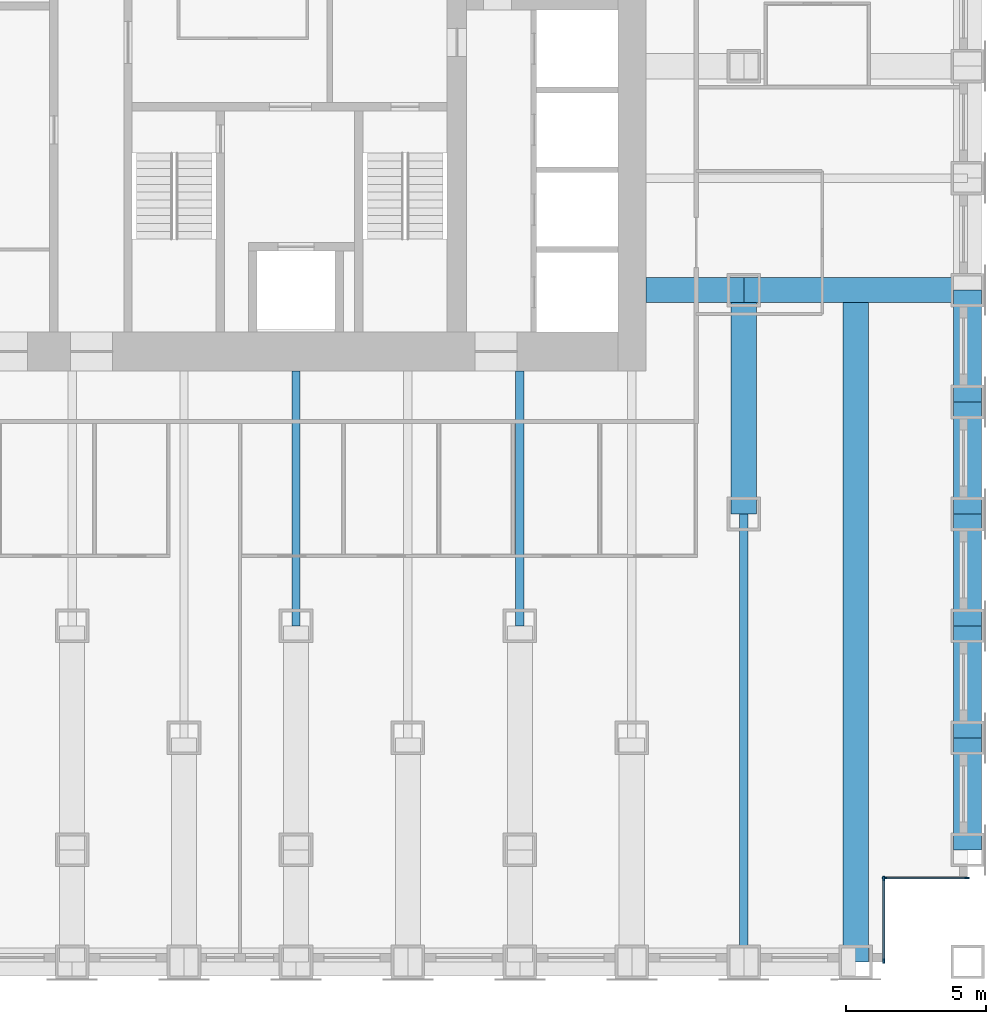
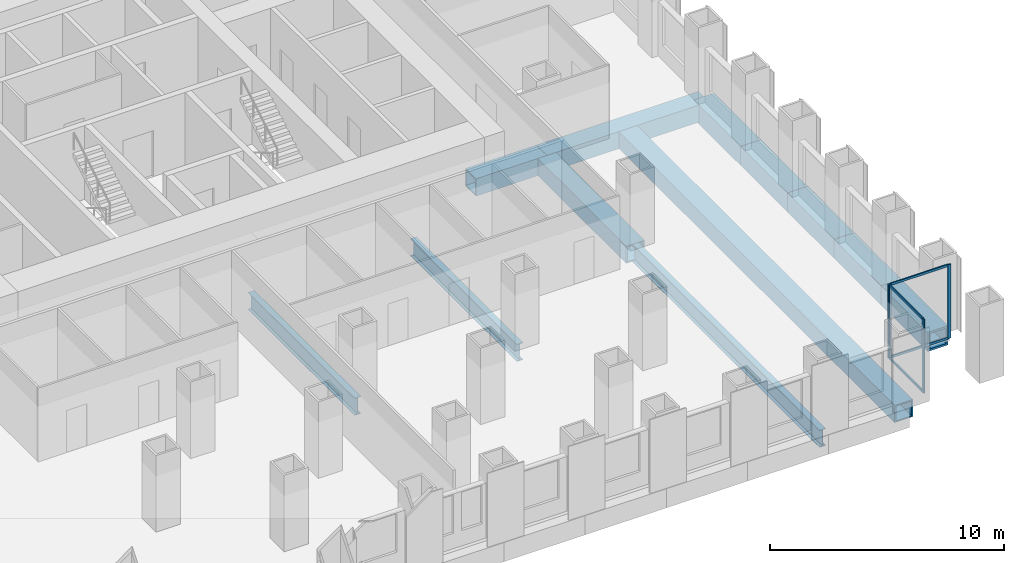
# One storey, part 4 of 15: 12 beams, 8 members, 2 elements without a shape of their own.
"""IFC4 building model written with IfcOpenShell, lengths in metres."""

from ifc_helpers import new_model, si_unit, direction, frame, origin, origin_2d, place, context, subcontext, project, spatial, rectangle, hollow_rectangle, i_section, extrude, material, material_profile, profile_set, type_object, element, aggregate, save


model = new_model("IFC4")

# Units and contexts
model_context = context("Model", 3, precision=1e-05, world=origin(), true_north=direction((0.0, 1.0)))
body_context = subcontext(model_context, "Body", "Model", "MODEL_VIEW")
ifc_project = project(units=[si_unit("LENGTHUNIT", "METRE"), si_unit("AREAUNIT", "SQUARE_METRE"), si_unit("VOLUMEUNIT", "CUBIC_METRE"), si_unit("PLANEANGLEUNIT", "RADIAN"), si_unit("MASSUNIT", "GRAM", prefix="KILO")], contexts=[model_context])

# Site, building, storey
site_placement = place(None, origin())
site = spatial("IfcSite", under=ifc_project, at=site_placement, CompositionType="ELEMENT")
building_placement = place(site_placement, origin())
building = spatial("IfcBuilding", under=site, at=building_placement, Name="Rimbunsela Tower", CompositionType="ELEMENT")
storey_placement = place(building_placement, frame((0.0, 0.0, 23.0)))
storey = spatial("IfcBuildingStorey", under=building, at=storey_placement, Name="L05", CompositionType="ELEMENT", Elevation=23.0)

# Beams
ifc_material_1 = material(Name="Steel BJ 55 (fy 410 MPa)", Category="steel")
ifc_material_profile_1 = material_profile(ifc_material_1, hollow_rectangle(XDim=1.0, YDim=1.0, WallThickness=0.10009765625, at=origin_2d()), Name="BOX 1000x1000x100")
ifc_profile_set_1 = profile_set([ifc_material_profile_1], Name="Steel BJ 55 (fy 410 MPa)")
beam_type_1 = type_object("IfcBeamType", Name="Beam BOX 1000x1000x100", PredefinedType="BEAM", material=ifc_profile_set_1)
for number, where, z_axis, x_axis, name in (
    (1, (54.0, 0.0, -0.64990234375), (0.0, 1.0, 0.0), (-1.0, 0.0, 0.0), "Beam B3 L05"),
    (2, (54.0, 4.0, -0.64990234375), (0.0, 1.0, 0.0), (-1.0, 0.0, 0.0), "Beam B3 L05"),
    (3, (54.0, 8.0, -0.64990234375), (0.0, 1.0, 0.0), (-1.0, 0.0, 0.0), "Beam B3 L05"),
    (4, (54.0, 12.0, -0.64990234375), (0.0, 1.0, 0.0), (-1.0, 0.0, 0.0), "Beam B3 L05"),
    (5, (54.0, 16.0, -0.64990234375), (0.0, 1.0, 0.0), (-1.0, 0.0, 0.0), "Beam B3 L05"),
):
    element("IfcBeam", number, at=place(storey_placement, frame(where, z_axis=z_axis, x_axis=x_axis)), inside=storey, type_object=beam_type_1, Name=name, PredefinedType="BEAM", context=body_context, shape_type="SweptSolid", body=[
        extrude(hollow_rectangle(XDim=1.0, YDim=1.0, WallThickness=0.10009765625, at=origin_2d()), origin(), (0.0, 0.0, 1.0), 4.0),
    ])
ifc_material_2 = material(Name="Steel BJ 55 (fy 410 MPa)", Category="steel")
ifc_material_profile_2 = material_profile(ifc_material_2, hollow_rectangle(XDim=0.89990234375, YDim=0.89990234375, WallThickness=0.06005859375, at=origin_2d()), Name="BOX 900x900x60")
ifc_profile_set_2 = profile_set([ifc_material_profile_2], Name="Steel BJ 55 (fy 410 MPa)")
beam_type_2 = type_object("IfcBeamType", Name="Beam BOX 900x900x60", PredefinedType="BEAM", material=ifc_profile_set_2)
beam_1_placement = place(storey_placement, frame((42.5, 20.0, -0.60009765625), z_axis=(1.0, 0.0, 0.0), x_axis=(0.0, 1.0, 0.0)))
element("IfcBeam", 6, at=beam_1_placement, inside=storey, type_object=beam_type_2, Name="Beam B1 L05", PredefinedType="BEAM", context=body_context, shape_type="SweptSolid", body=[
    extrude(hollow_rectangle(XDim=0.89990234375, YDim=0.89990234375, WallThickness=0.06005859375, at=origin_2d()), origin(), (0.0, 0.0, 1.0), 3.5),
])
for number, where, z_axis, x_axis, name in (
    (7, (46.0, 12.0, -0.60009765625), (0.0, 1.0, 0.0), (-1.0, 0.0, 0.0), "Beam B1 L05"),
    (8, (46.0, 20.0, -0.60009765625), (1.0, 0.0, 0.0), (0.0, 1.0, 0.0), "Beam B1 L05"),
):
    element("IfcBeam", number, at=place(storey_placement, frame(where, z_axis=z_axis, x_axis=x_axis)), inside=storey, type_object=beam_type_2, Name=name, PredefinedType="BEAM", context=body_context, shape_type="SweptSolid", body=[
        extrude(hollow_rectangle(XDim=0.89990234375, YDim=0.89990234375, WallThickness=0.06005859375, at=origin_2d()), origin(), (0.0, 0.0, 1.0), 8.0),
    ])
beam_2_placement = place(storey_placement, frame((50.0, -4.0, -0.60009765625), z_axis=(0.0, 1.0, 0.0), x_axis=(-1.0, 0.0, 0.0)))
element("IfcBeam", 9, at=beam_2_placement, inside=storey, type_object=beam_type_2, Name="Beam B1 L05", PredefinedType="BEAM", context=body_context, shape_type="SweptSolid", body=[
    extrude(hollow_rectangle(XDim=0.89990234375, YDim=0.89990234375, WallThickness=0.06005859375, at=origin_2d()), origin(), (0.0, 0.0, 1.0), 23.550048828125),
])
ifc_material_3 = material(Name="Steel BJ 55 (fy 410 MPa)", Category="steel")
ifc_material_profile_3 = material_profile(ifc_material_3, i_section(OverallWidth=0.300048828125, OverallDepth=0.89990234375, WebThickness=0.01611328125, FlangeThickness=0.028076171875, FilletRadius=0.028076171875, at=origin_2d()), Name="H 900x300x16x28")
ifc_profile_set_3 = profile_set([ifc_material_profile_3], Name="Steel BJ 55 (fy 410 MPa)")
beam_type_3 = type_object("IfcBeamType", Name="Beam H 900x300x16x28", PredefinedType="BEAM", material=ifc_profile_set_3)
for number, where, z_axis, x_axis, name in (
    (10, (30.0, 8.0, -0.60009765625), (0.0, 1.0, 0.0), (-1.0, 0.0, 0.0), "Beam B2 L05"),
    (11, (38.0, 8.0, -0.60009765625), (0.0, 1.0, 0.0), (-1.0, 0.0, 0.0), "Beam B2 L05"),
):
    element("IfcBeam", number, at=place(storey_placement, frame(where, z_axis=z_axis, x_axis=x_axis)), inside=storey, type_object=beam_type_3, Name=name, PredefinedType="BEAM", context=body_context, shape_type="SweptSolid", body=[
        extrude(i_section(OverallWidth=0.300048828125, OverallDepth=0.89990234375, WebThickness=0.01611328125, FlangeThickness=0.028076171875, FilletRadius=0.028076171875, at=origin_2d()), origin(), (0.0, 0.0, 1.0), 9.10009765625),
    ])
beam_3_placement = place(storey_placement, frame((46.0, -4.0, -0.60009765625), z_axis=(0.0, 1.0, 0.0), x_axis=(-1.0, 0.0, 0.0)))
element("IfcBeam", 12, at=beam_3_placement, inside=storey, type_object=beam_type_3, Name="Beam B2 L05", PredefinedType="BEAM", context=body_context, shape_type="SweptSolid", body=[
    extrude(i_section(OverallWidth=0.300048828125, OverallDepth=0.89990234375, WebThickness=0.01611328125, FlangeThickness=0.028076171875, FilletRadius=0.028076171875, at=origin_2d()), origin(), (0.0, 0.0, 1.0), 16.0),
])

# Curtain wall, members
ifc_material_4 = material(Name="Aluminium curtain wall", Category="aluminium")
curtain_wall_type = type_object("IfcCurtainWallType", Name="Corner glazing", PredefinedType="USERDEFINED", material=ifc_material_4)
curtain_wall_1_placement = place(storey_placement, origin())
curtain_wall_1 = element("IfcCurtainWall", 13, at=curtain_wall_1_placement, inside=storey, type_object=curtain_wall_type, Name="Corner glazing L05", ObjectType="CORNER GLAZING", PredefinedType="USERDEFINED")
ifc_material_5 = material(Name="Aluminium mullion", Category="aluminium")
ifc_material_profile_4 = material_profile(ifc_material_5, rectangle(XDim=0.06005859375, YDim=0.159912109375, at=origin_2d()), Name="Mullion 60x160")
ifc_profile_set_4 = profile_set([ifc_material_profile_4], Name="Aluminium mullion")
member_type_1 = type_object("IfcMemberType", Name="Curtain wall mullion 60x160", PredefinedType="MULLION", material=ifc_profile_set_4)
member_1_placement = place(storey_placement, frame((51.0, -3.969970703125, 0.0), z_axis=(0.0, 0.0, 1.0), x_axis=(-1.0, 0.0, 0.0)))
member_1 = element("IfcMember", 14, at=member_1_placement, type_object=member_type_1, Name="CW5 mullion 1", PredefinedType="MULLION", context=body_context, shape_type="SweptSolid", body=[
    extrude(rectangle(XDim=0.06005859375, YDim=0.159912109375, at=origin_2d()), origin(), (0.0, 0.0, 1.0), 3.85009765625),
])
member_2_placement = place(storey_placement, frame((51.0, -1.030029296875, 0.0), z_axis=(0.0, 0.0, 1.0), x_axis=(-1.0, 0.0, 0.0)))
member_2 = element("IfcMember", 15, at=member_2_placement, type_object=member_type_1, Name="CW5 mullion 2", PredefinedType="MULLION", context=body_context, shape_type="SweptSolid", body=[
    extrude(rectangle(XDim=0.06005859375, YDim=0.159912109375, at=origin_2d()), origin(), (0.0, 0.0, 1.0), 3.85009765625),
])

curtain_wall_2_placement = place(storey_placement, origin())
curtain_wall_2 = element("IfcCurtainWall", 16, at=curtain_wall_2_placement, inside=storey, type_object=curtain_wall_type, Name="Corner glazing L05", ObjectType="CORNER GLAZING", PredefinedType="USERDEFINED")
member_3_placement = place(storey_placement, frame((51.030029296875, -1.0, 0.0), z_axis=(0.0, 0.0, 1.0), x_axis=(0.0, 1.0, 0.0)))
member_3 = element("IfcMember", 17, at=member_3_placement, type_object=member_type_1, Name="CW5 mullion 1", PredefinedType="MULLION", context=body_context, shape_type="SweptSolid", body=[
    extrude(rectangle(XDim=0.06005859375, YDim=0.159912109375, at=origin_2d()), origin(), (0.0, 0.0, 1.0), 3.85009765625),
])
member_4_placement = place(storey_placement, frame((53.969970703125, -1.0, 0.0), z_axis=(0.0, 0.0, 1.0), x_axis=(0.0, 1.0, 0.0)))
member_4 = element("IfcMember", 18, at=member_4_placement, type_object=member_type_1, Name="CW5 mullion 2", PredefinedType="MULLION", context=body_context, shape_type="SweptSolid", body=[
    extrude(rectangle(XDim=0.06005859375, YDim=0.159912109375, at=origin_2d()), origin(), (0.0, 0.0, 1.0), 3.85009765625),
])

# Member
ifc_material_6 = material(Name="Aluminium transom", Category="aluminium")
ifc_material_profile_5 = material_profile(ifc_material_6, rectangle(XDim=0.06005859375, YDim=0.1201171875, at=origin_2d()), Name="Transom 60x120")
ifc_profile_set_5 = profile_set([ifc_material_profile_5], Name="Aluminium transom")
member_type_2 = type_object("IfcMemberType", Name="Curtain wall transom 60x120", PredefinedType="USERDEFINED", material=ifc_profile_set_5)
member_5_placement = place(storey_placement, frame((51.0, -3.93994140625, 0.030029296875), z_axis=(0.0, 1.0, 0.0), x_axis=(-1.0, 0.0, 0.0)))
member_5 = element("IfcMember", 19, at=member_5_placement, type_object=member_type_2, Name="CW5 transom 1.1", ObjectType="TRANSOM", PredefinedType="USERDEFINED", context=body_context, shape_type="SweptSolid", body=[
    extrude(rectangle(XDim=0.06005859375, YDim=0.1201171875, at=origin_2d()), origin(), (0.0, 0.0, 1.0), 2.8798828125),
])

member_6_placement = place(storey_placement, frame((51.0, -3.93994140625, 3.820068359375), z_axis=(0.0, 1.0, 0.0), x_axis=(-1.0, 0.0, 0.0)))
member_6 = element("IfcMember", 20, at=member_6_placement, type_object=member_type_2, Name="CW5 transom 1.2", ObjectType="TRANSOM", PredefinedType="USERDEFINED", context=body_context, shape_type="SweptSolid", body=[
    extrude(rectangle(XDim=0.06005859375, YDim=0.1201171875, at=origin_2d()), origin(), (0.0, 0.0, 1.0), 2.8798828125),
])

aggregate(curtain_wall_1, [member_1, member_2, member_5, member_6])

member_7_placement = place(storey_placement, frame((51.06005859375, -1.0, 0.030029296875), z_axis=(1.0, 0.0, 0.0), x_axis=(0.0, 1.0, 0.0)))
member_7 = element("IfcMember", 21, at=member_7_placement, type_object=member_type_2, Name="CW5 transom 1.1", ObjectType="TRANSOM", PredefinedType="USERDEFINED", context=body_context, shape_type="SweptSolid", body=[
    extrude(rectangle(XDim=0.06005859375, YDim=0.1201171875, at=origin_2d()), origin(), (0.0, 0.0, 1.0), 2.8798828125),
])

member_8_placement = place(storey_placement, frame((51.06005859375, -1.0, 3.820068359375), z_axis=(1.0, 0.0, 0.0), x_axis=(0.0, 1.0, 0.0)))
member_8 = element("IfcMember", 22, at=member_8_placement, type_object=member_type_2, Name="CW5 transom 1.2", ObjectType="TRANSOM", PredefinedType="USERDEFINED", context=body_context, shape_type="SweptSolid", body=[
    extrude(rectangle(XDim=0.06005859375, YDim=0.1201171875, at=origin_2d()), origin(), (0.0, 0.0, 1.0), 2.8798828125),
])

aggregate(curtain_wall_2, [member_3, member_4, member_7, member_8])

save(model, "model.ifc")
